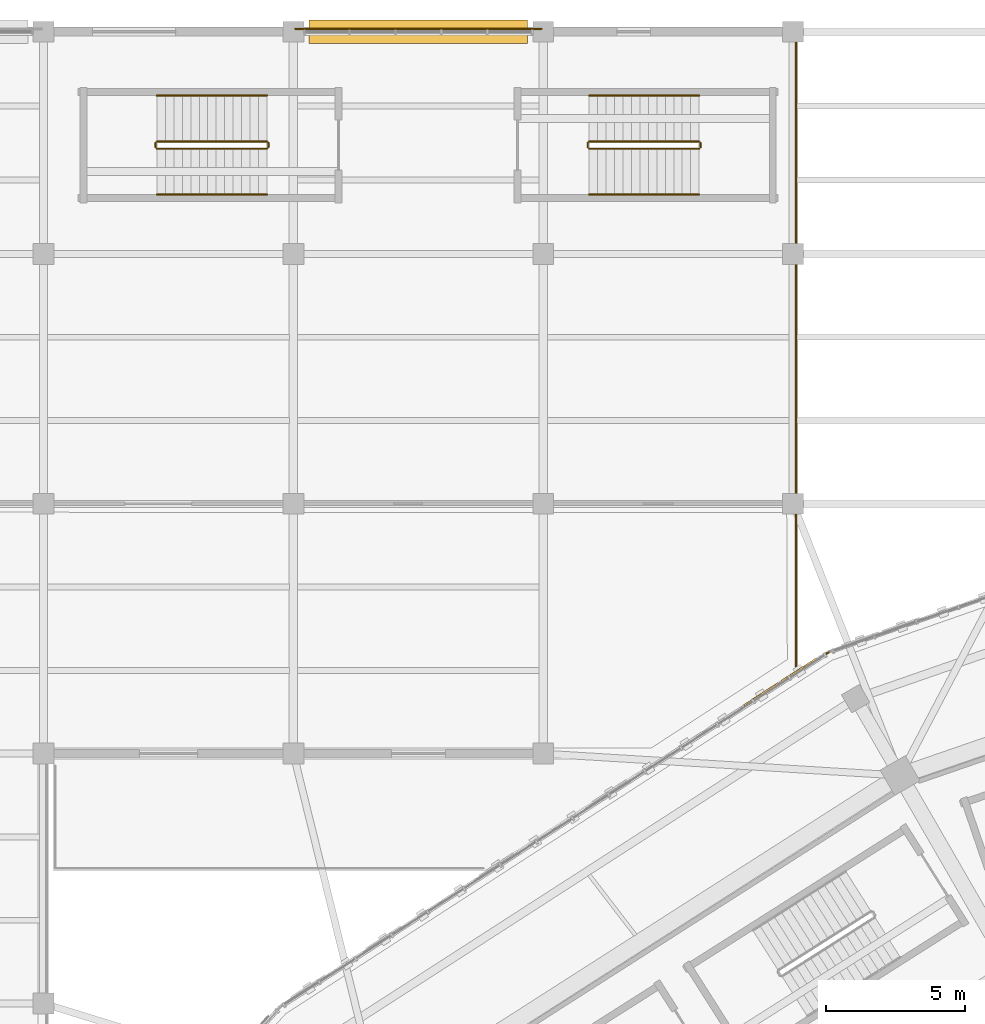
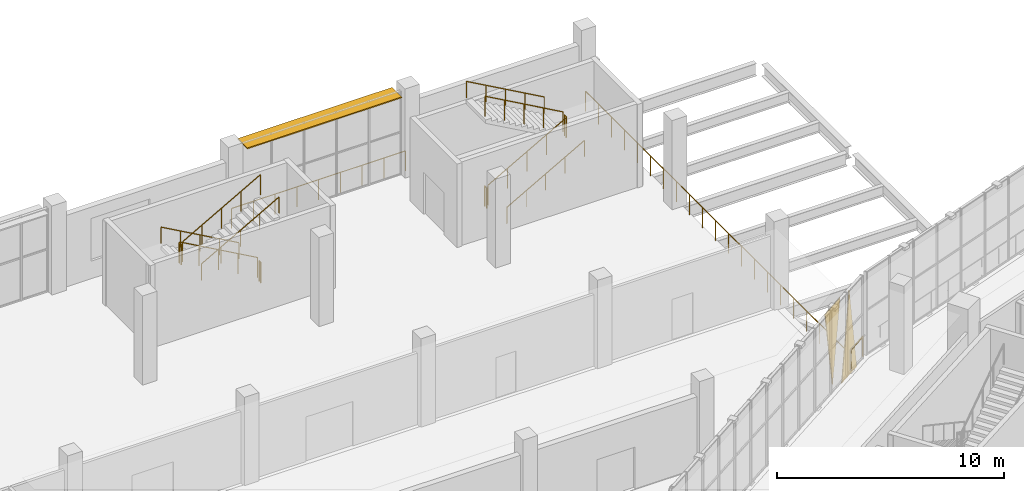
# One storey, part 163 of 179: 15 railings, 2 coverings, 1 shading device.
"""IFC4 building model written with IfcOpenShell, lengths in metres."""

from ifc_helpers import new_model, si_unit, direction, frame, origin, origin_2d, place, context, subcontext, project, spatial, polyline, rectangle, circle, outline, extrude, material, layer, layer_set, type_object, element, save


model = new_model("IFC4")

# Units and contexts
model_context = context("Model", 3, precision=1e-05, world=origin(), true_north=direction((0.0, 1.0)))
body_context = subcontext(model_context, "Body", "Model", "MODEL_VIEW")
ifc_project = project(units=[si_unit("LENGTHUNIT", "METRE"), si_unit("AREAUNIT", "SQUARE_METRE"), si_unit("VOLUMEUNIT", "CUBIC_METRE"), si_unit("PLANEANGLEUNIT", "RADIAN"), si_unit("MASSUNIT", "GRAM", prefix="KILO")], contexts=[model_context])

# Site, building, storey
site_placement = place(None, origin())
site = spatial("IfcSite", under=ifc_project, at=site_placement, CompositionType="ELEMENT")
building_placement = place(site_placement, origin())
building = spatial("IfcBuilding", under=site, at=building_placement, Name="Zevraka Park Crest Stadium", CompositionType="ELEMENT")
storey_placement = place(building_placement, frame((0.0, 0.0, 10.199951171875)))
storey = spatial("IfcBuildingStorey", under=building, at=storey_placement, Name="L02", CompositionType="ELEMENT", Elevation=10.199951171875)

# Coverings
ifc_material_1 = material(Name="Architectural golden-bronze perforated aluminium", Category="aluminium")
ifc_layer_1 = layer(ifc_material_1, 0.034912109375)
ifc_layer_set_1 = layer_set([ifc_layer_1], Name="Architectural golden-bronze perforated aluminium")
covering_type = type_object("IfcCoveringType", Name="CLD01", PredefinedType="CLADDING", material=ifc_layer_set_1)
covering_1_placement = place(storey_placement, frame((63.804931640625, 161.427001953125, -0.239990234375), z_axis=(-0.543285997877, 0.839547690307, 1.4543474e-05), x_axis=(-0.839547690396, -0.543285997934, 0.0)))
element("IfcCovering", 1, at=covering_1_placement, inside=storey, type_object=covering_type, Name="Triangular Golden-Bronze Perforated Cladding L02-08-1", PredefinedType="CLADDING", context=body_context, shape_type="SweptSolid", body=[
    extrude(outline(polyline([(0.0, 0.0), (1.457781335266565, -1.6940658945086007e-21), (0.7287881837843572, 4.560058594232255), (0.0, 0.0)])), origin(), (0.0, 0.0, -1.0), 0.034912109375),
])
covering_2_placement = place(storey_placement, frame((61.221923828125, 159.756103515625, 4.47998046875), z_axis=(-0.543209619056, 0.839597111575, 0.0), x_axis=(0.839597111575, 0.543209619056, 0.0)))
element("IfcCovering", 2, at=covering_2_placement, inside=storey, type_object=covering_type, Name="Triangular Golden-Bronze Perforated Cladding L02-08-2", PredefinedType="CLADDING", context=body_context, shape_type="SweptSolid", body=[
    extrude(outline(polyline([(0.0, 0.0), (1.4579863089976983, 0.0), (0.7289931544988492, 4.260009765625), (0.0, 0.0)])), origin(), (0.0, 0.0, -1.0), 0.034912109375),
])

# Railings
ifc_material_2 = material(Name="Galvanised and bronze-finished steel balustrade", Category="steel")
railing_type_1 = type_object("IfcRailingType", Name="GR01", PredefinedType="GUARDRAIL", material=ifc_material_2)
railing_1_placement = place(storey_placement, frame((45.06591796875, 184.10498046875, 0.0)))
element("IfcRailing", 3, at=railing_1_placement, inside=storey, type_object=railing_type_1, Name="Deck Edge Protection Guardrail GR01 L02-3", PredefinedType="GUARDRAIL", context=body_context, shape_type="SweptSolid", body=[
    extrude(circle(Radius=0.02392578125, at=origin_2d()), frame((0.0, 0.0, 1.076171875), z_axis=(1.0, 0.0, 0.0), x_axis=(0.0, 1.0, 0.0)), (0.0, 0.0, 1.0), 8.8681640625),
    extrude(circle(Radius=0.02099609375, at=origin_2d()), origin(), (0.0, 0.0, 1.0), 1.052001953125),
    extrude(circle(Radius=0.02099609375, at=origin_2d()), frame((1.1083984375, 0.0, 0.0)), (0.0, 0.0, 1.0), 1.052001953125),
    extrude(circle(Radius=0.02099609375, at=origin_2d()), frame((2.217041015625, 0.0, 0.0)), (0.0, 0.0, 1.0), 1.052001953125),
    extrude(circle(Radius=0.02099609375, at=origin_2d()), frame((3.32568359375, 0.0, 0.0)), (0.0, 0.0, 1.0), 1.052001953125),
    extrude(circle(Radius=0.02099609375, at=origin_2d()), frame((4.43408203125, 0.0, 0.0)), (0.0, 0.0, 1.0), 1.052001953125),
    extrude(circle(Radius=0.02099609375, at=origin_2d()), frame((5.54248046875, 0.0, 0.0)), (0.0, 0.0, 1.0), 1.052001953125),
    extrude(circle(Radius=0.02099609375, at=origin_2d()), frame((6.651123046875, 0.0, 0.0)), (0.0, 0.0, 1.0), 1.052001953125),
    extrude(circle(Radius=0.02099609375, at=origin_2d()), frame((7.759765625, 0.0, 0.0)), (0.0, 0.0, 1.0), 1.052001953125),
    extrude(circle(Radius=0.02099609375, at=origin_2d()), frame((8.8681640625, 0.0, 0.0)), (0.0, 0.0, 1.0), 1.052001953125),
])
railing_2_placement = place(storey_placement, frame((63.10498046875, 184.10498046875, 0.0)))
element("IfcRailing", 4, at=railing_2_placement, inside=storey, type_object=railing_type_1, Name="Deck Edge Protection Guardrail GR01 L02-4", PredefinedType="GUARDRAIL", context=body_context, shape_type="SweptSolid", body=[
    extrude(circle(Radius=0.02392578125, at=origin_2d()), frame((0.0, 0.0, 1.076171875), z_axis=(0.0, -1.0, 0.0), x_axis=(1.0, 0.0, 0.0)), (0.0, 0.0, 1.0), 22.97509765625),
    extrude(circle(Radius=0.02099609375, at=origin_2d()), origin(), (0.0, 0.0, 1.0), 1.052001953125),
    extrude(circle(Radius=0.02099609375, at=origin_2d()), frame((0.0, -1.148681640625, 0.0)), (0.0, 0.0, 1.0), 1.052001953125),
    extrude(circle(Radius=0.02099609375, at=origin_2d()), frame((0.0, -2.297607421875, 0.0)), (0.0, 0.0, 1.0), 1.052001953125),
    extrude(circle(Radius=0.02099609375, at=origin_2d()), frame((0.0, -3.4462890625, 0.0)), (0.0, 0.0, 1.0), 1.052001953125),
    extrude(circle(Radius=0.02099609375, at=origin_2d()), frame((0.0, -4.594970703125, 0.0)), (0.0, 0.0, 1.0), 1.052001953125),
    extrude(circle(Radius=0.02099609375, at=origin_2d()), frame((0.0, -5.74365234375, 0.0)), (0.0, 0.0, 1.0), 1.052001953125),
    extrude(circle(Radius=0.02099609375, at=origin_2d()), frame((0.0, -6.892578125, 0.0)), (0.0, 0.0, 1.0), 1.052001953125),
    extrude(circle(Radius=0.02099609375, at=origin_2d()), frame((0.0, -8.041259765625, 0.0)), (0.0, 0.0, 1.0), 1.052001953125),
    extrude(circle(Radius=0.02099609375, at=origin_2d()), frame((0.0, -9.18994140625, 0.0)), (0.0, 0.0, 1.0), 1.052001953125),
    extrude(circle(Radius=0.02099609375, at=origin_2d()), frame((0.0, -10.3388671875, 0.0)), (0.0, 0.0, 1.0), 1.052001953125),
    extrude(circle(Radius=0.02099609375, at=origin_2d()), frame((0.0, -11.487548828125, 0.0)), (0.0, 0.0, 1.0), 1.052001953125),
    extrude(circle(Radius=0.02099609375, at=origin_2d()), frame((0.0, -12.63623046875, 0.0)), (0.0, 0.0, 1.0), 1.052001953125),
    extrude(circle(Radius=0.02099609375, at=origin_2d()), frame((0.0, -13.78515625, 0.0)), (0.0, 0.0, 1.0), 1.052001953125),
    extrude(circle(Radius=0.02099609375, at=origin_2d()), frame((0.0, -14.933837890625, 0.0)), (0.0, 0.0, 1.0), 1.052001953125),
    extrude(circle(Radius=0.02099609375, at=origin_2d()), frame((0.0, -16.08251953125, 0.0)), (0.0, 0.0, 1.0), 1.052001953125),
    extrude(circle(Radius=0.02099609375, at=origin_2d()), frame((0.0, -17.2314453125, 0.0)), (0.0, 0.0, 1.0), 1.052001953125),
    extrude(circle(Radius=0.02099609375, at=origin_2d()), frame((0.0, -18.380126953125, 0.0)), (0.0, 0.0, 1.0), 1.052001953125),
    extrude(circle(Radius=0.02099609375, at=origin_2d()), frame((0.0, -19.52880859375, 0.0)), (0.0, 0.0, 1.0), 1.052001953125),
    extrude(circle(Radius=0.02099609375, at=origin_2d()), frame((0.0, -20.677490234375, 0.0)), (0.0, 0.0, 1.0), 1.052001953125),
    extrude(circle(Radius=0.02099609375, at=origin_2d()), frame((0.0, -21.826416015625, 0.0)), (0.0, 0.0, 1.0), 1.052001953125),
    extrude(circle(Radius=0.02099609375, at=origin_2d()), frame((0.0, -22.97509765625, 0.0)), (0.0, 0.0, 1.0), 1.052001953125),
])
railing_3_placement = place(storey_placement, frame((63.298095703125, 161.01611328125, 0.0)))
element("IfcRailing", 5, at=railing_3_placement, inside=storey, type_object=railing_type_1, Name="Deck Edge Protection Guardrail GR01 L02-5", PredefinedType="GUARDRAIL", context=body_context, shape_type="SweptSolid", body=[
    extrude(circle(Radius=0.02392578125, at=origin_2d()), frame((0.0, 0.0, 1.076171875), z_axis=(0.839575752041, 0.543242631413, 0.0), x_axis=(-0.543242631413, 0.839575752041, 0.0)), (0.0, 0.0, 1.0), 1.170654296875),
    extrude(circle(Radius=0.02099609375, at=origin_2d()), origin(), (0.0, 0.0, 1.0), 1.052001953125),
    extrude(circle(Radius=0.02099609375, at=origin_2d()), frame((0.98291015625, 0.635986328125, 0.0)), (0.0, 0.0, 1.0), 1.052001953125),
])
ifc_material_3 = material(Name="Powder-coated tubular steel stairwell guard", Category="steel")
railing_type_2 = type_object("IfcRailingType", Name="GR03", PredefinedType="GUARDRAIL", material=ifc_material_3)
railing_4_placement = place(storey_placement, frame((44.050048828125, 180.050048828125, 0.17138671875)))
element("IfcRailing", 6, at=railing_4_placement, inside=storey, type_object=railing_type_2, Name="L02 ST49 stair guard 1", PredefinedType="GUARDRAIL", context=body_context, shape_type="SweptSolid", body=[
    extrude(circle(Radius=0.02392578125, at=origin_2d()), frame((0.0, 0.0, 1.076171875), z_axis=(-0.871726007364, 0.0, 0.489993640861), x_axis=(0.0, -1.0, 0.0)), (0.0, 0.0, 1.0), 4.548583984375),
    extrude(circle(Radius=0.02099609375, at=origin_2d()), origin(), (0.0, 0.0, 1.0), 1.052001953125),
    extrude(circle(Radius=0.02099609375, at=origin_2d()), frame((-0.9912109375, 0.0, 0.55712890625)), (0.0, 0.0, 1.0), 1.052001953125),
    extrude(circle(Radius=0.02099609375, at=origin_2d()), frame((-1.982421875, 0.0, 1.1142578125)), (0.0, 0.0, 1.0), 1.052001953125),
    extrude(circle(Radius=0.02099609375, at=origin_2d()), frame((-2.973876953125, 0.0, 1.671630859375)), (0.0, 0.0, 1.0), 1.052001953125),
    extrude(circle(Radius=0.02099609375, at=origin_2d()), frame((-3.965087890625, 0.0, 2.228759765625)), (0.0, 0.0, 1.0), 1.052001953125),
])
railing_5_placement = place(storey_placement, frame((40.034912109375, 180.0, 2.400146484375)))
element("IfcRailing", 7, at=railing_5_placement, inside=storey, type_object=railing_type_2, Name="L02 ST49 stair guard 2", PredefinedType="GUARDRAIL", context=body_context, shape_type="SweptSolid", body=[
    extrude(circle(Radius=0.02392578125, at=origin_2d()), frame((0.0, 0.0, 1.076171875), z_axis=(0.0, -1.0, 0.0), x_axis=(1.0, 0.0, 0.0)), (0.0, 0.0, 1.0), 0.159912109375),
    extrude(circle(Radius=0.02099609375, at=origin_2d()), origin(), (0.0, 0.0, 1.0), 1.052001953125),
    extrude(circle(Radius=0.02099609375, at=origin_2d()), frame((0.0, -0.159912109375, 0.0)), (0.0, 0.0, 1.0), 1.052001953125),
])
railing_6_placement = place(storey_placement, frame((40.0849609375, 179.7900390625, 2.571533203125)))
element("IfcRailing", 8, at=railing_6_placement, inside=storey, type_object=railing_type_2, Name="L02 ST49 stair guard 3", PredefinedType="GUARDRAIL", context=body_context, shape_type="SweptSolid", body=[
    extrude(circle(Radius=0.02392578125, at=origin_2d()), frame((0.0, 0.0, 1.076171875), z_axis=(0.871748933509, 0.0, 0.489952851738), x_axis=(0.0, 1.0, 0.0)), (0.0, 0.0, 1.0), 4.54833984375),
    extrude(circle(Radius=0.02099609375, at=origin_2d()), origin(), (0.0, 0.0, 1.0), 1.052001953125),
    extrude(circle(Radius=0.02099609375, at=origin_2d()), frame((0.9912109375, 0.0, 0.55712890625)), (0.0, 0.0, 1.0), 1.052001953125),
    extrude(circle(Radius=0.02099609375, at=origin_2d()), frame((1.982421875, 0.0, 1.1142578125)), (0.0, 0.0, 1.0), 1.052001953125),
    extrude(circle(Radius=0.02099609375, at=origin_2d()), frame((2.973876953125, 0.0, 1.67138671875)), (0.0, 0.0, 1.0), 1.052001953125),
    extrude(circle(Radius=0.02099609375, at=origin_2d()), frame((3.965087890625, 0.0, 2.228515625)), (0.0, 0.0, 1.0), 1.052001953125),
])
railing_7_placement = place(storey_placement, frame((44.10009765625, 180.0, 0.0)))
element("IfcRailing", 9, at=railing_7_placement, inside=storey, type_object=railing_type_2, Name="L02 ST49 stair guard 4", PredefinedType="GUARDRAIL", context=body_context, shape_type="SweptSolid", body=[
    extrude(circle(Radius=0.02392578125, at=origin_2d()), frame((0.0, 0.0, 1.076171875), z_axis=(0.0, -1.0, 0.0), x_axis=(1.0, 0.0, 0.0)), (0.0, 0.0, 1.0), 0.159912109375),
    extrude(circle(Radius=0.02099609375, at=origin_2d()), origin(), (0.0, 0.0, 1.0), 1.052001953125),
    extrude(circle(Radius=0.02099609375, at=origin_2d()), frame((0.0, -0.159912109375, 0.0)), (0.0, 0.0, 1.0), 1.052001953125),
])
railing_8_placement = place(storey_placement, frame((55.64990234375, 179.7900390625, 0.17138671875)))
element("IfcRailing", 10, at=railing_8_placement, inside=storey, type_object=railing_type_2, Name="L02 ST50 stair guard 1", PredefinedType="GUARDRAIL", context=body_context, shape_type="SweptSolid", body=[
    extrude(circle(Radius=0.02392578125, at=origin_2d()), frame((0.0, 0.0, 1.076171875), z_axis=(0.871726007364, 0.0, 0.489993640861), x_axis=(0.0, 1.0, 0.0)), (0.0, 0.0, 1.0), 4.548583984375),
    extrude(circle(Radius=0.02099609375, at=origin_2d()), origin(), (0.0, 0.0, 1.0), 1.052001953125),
    extrude(circle(Radius=0.02099609375, at=origin_2d()), frame((0.9912109375, 0.0, 0.55712890625)), (0.0, 0.0, 1.0), 1.052001953125),
    extrude(circle(Radius=0.02099609375, at=origin_2d()), frame((1.982421875, 0.0, 1.1142578125)), (0.0, 0.0, 1.0), 1.052001953125),
    extrude(circle(Radius=0.02099609375, at=origin_2d()), frame((2.973876953125, 0.0, 1.671630859375)), (0.0, 0.0, 1.0), 1.052001953125),
    extrude(circle(Radius=0.02099609375, at=origin_2d()), frame((3.965087890625, 0.0, 2.228759765625)), (0.0, 0.0, 1.0), 1.052001953125),
])
railing_9_placement = place(storey_placement, frame((59.6650390625, 179.840087890625, 2.400146484375)))
element("IfcRailing", 11, at=railing_9_placement, inside=storey, type_object=railing_type_2, Name="L02 ST50 stair guard 2", PredefinedType="GUARDRAIL", context=body_context, shape_type="SweptSolid", body=[
    extrude(circle(Radius=0.02392578125, at=origin_2d()), frame((0.0, 0.0, 1.076171875), z_axis=(0.0, 1.0, 0.0), x_axis=(-1.0, 0.0, 0.0)), (0.0, 0.0, 1.0), 0.159912109375),
    extrude(circle(Radius=0.02099609375, at=origin_2d()), origin(), (0.0, 0.0, 1.0), 1.052001953125),
    extrude(circle(Radius=0.02099609375, at=origin_2d()), frame((0.0, 0.159912109375, 0.0)), (0.0, 0.0, 1.0), 1.052001953125),
])
railing_10_placement = place(storey_placement, frame((59.614990234375, 180.050048828125, 2.571533203125)))
element("IfcRailing", 12, at=railing_10_placement, inside=storey, type_object=railing_type_2, Name="L02 ST50 stair guard 3", PredefinedType="GUARDRAIL", context=body_context, shape_type="SweptSolid", body=[
    extrude(circle(Radius=0.02392578125, at=origin_2d()), frame((0.0, 0.0, 1.076171875), z_axis=(-0.871748933509, 0.0, 0.489952851738), x_axis=(0.0, -1.0, 0.0)), (0.0, 0.0, 1.0), 4.54833984375),
    extrude(circle(Radius=0.02099609375, at=origin_2d()), origin(), (0.0, 0.0, 1.0), 1.052001953125),
    extrude(circle(Radius=0.02099609375, at=origin_2d()), frame((-0.9912109375, 0.0, 0.55712890625)), (0.0, 0.0, 1.0), 1.052001953125),
    extrude(circle(Radius=0.02099609375, at=origin_2d()), frame((-1.982421875, 0.0, 1.1142578125)), (0.0, 0.0, 1.0), 1.052001953125),
    extrude(circle(Radius=0.02099609375, at=origin_2d()), frame((-2.973876953125, 0.0, 1.67138671875)), (0.0, 0.0, 1.0), 1.052001953125),
    extrude(circle(Radius=0.02099609375, at=origin_2d()), frame((-3.965087890625, 0.0, 2.228515625)), (0.0, 0.0, 1.0), 1.052001953125),
])
railing_11_placement = place(storey_placement, frame((55.60009765625, 179.840087890625, 0.0)))
element("IfcRailing", 13, at=railing_11_placement, inside=storey, type_object=railing_type_2, Name="L02 ST50 stair guard 4", PredefinedType="GUARDRAIL", context=body_context, shape_type="SweptSolid", body=[
    extrude(circle(Radius=0.02392578125, at=origin_2d()), frame((0.0, 0.0, 1.076171875), z_axis=(0.0, 1.0, 0.0), x_axis=(-1.0, 0.0, 0.0)), (0.0, 0.0, 1.0), 0.159912109375),
    extrude(circle(Radius=0.02099609375, at=origin_2d()), origin(), (0.0, 0.0, 1.0), 1.052001953125),
    extrude(circle(Radius=0.02099609375, at=origin_2d()), frame((0.0, 0.159912109375, 0.0)), (0.0, 0.0, 1.0), 1.052001953125),
])
ifc_material_4 = material(Name="Brushed stainless steel continuous handrail", Category="steel")
railing_type_3 = type_object("IfcRailingType", Name="HR01", PredefinedType="HANDRAIL", material=ifc_material_4)
railing_12_placement = place(storey_placement, frame((44.050048828125, 181.699951171875, 0.17138671875)))
element("IfcRailing", 14, at=railing_12_placement, inside=storey, type_object=railing_type_3, Name="L02 ST49 stair handrail 1", PredefinedType="HANDRAIL", context=body_context, shape_type="SweptSolid", body=[
    extrude(circle(Radius=0.02392578125, at=origin_2d()), frame((0.0, 0.0, 0.8759765625), z_axis=(-0.871726007364, 0.0, 0.489993640861), x_axis=(0.0, -1.0, 0.0)), (0.0, 0.0, 1.0), 4.548583984375),
    extrude(circle(Radius=0.02099609375, at=origin_2d()), origin(), (0.0, 0.0, 1.0), 0.851806640625),
    extrude(circle(Radius=0.02099609375, at=origin_2d()), frame((-0.9912109375, 0.0, 0.55712890625)), (0.0, 0.0, 1.0), 0.851806640625),
    extrude(circle(Radius=0.02099609375, at=origin_2d()), frame((-1.982421875, 0.0, 1.1142578125)), (0.0, 0.0, 1.0), 0.851806640625),
    extrude(circle(Radius=0.02099609375, at=origin_2d()), frame((-2.973876953125, 0.0, 1.671630859375)), (0.0, 0.0, 1.0), 0.851806640625),
    extrude(circle(Radius=0.02099609375, at=origin_2d()), frame((-3.965087890625, 0.0, 2.228759765625)), (0.0, 0.0, 1.0), 0.851806640625),
])
railing_13_placement = place(storey_placement, frame((40.0849609375, 178.139892578125, 2.571533203125)))
element("IfcRailing", 15, at=railing_13_placement, inside=storey, type_object=railing_type_3, Name="L02 ST49 stair handrail 2", PredefinedType="HANDRAIL", context=body_context, shape_type="SweptSolid", body=[
    extrude(circle(Radius=0.02392578125, at=origin_2d()), frame((0.0, 0.0, 0.8759765625), z_axis=(0.871748933509, 0.0, 0.489952851738), x_axis=(0.0, 1.0, 0.0)), (0.0, 0.0, 1.0), 4.54833984375),
    extrude(circle(Radius=0.02099609375, at=origin_2d()), origin(), (0.0, 0.0, 1.0), 0.851806640625),
    extrude(circle(Radius=0.02099609375, at=origin_2d()), frame((0.9912109375, 0.0, 0.55712890625)), (0.0, 0.0, 1.0), 0.851806640625),
    extrude(circle(Radius=0.02099609375, at=origin_2d()), frame((1.982421875, 0.0, 1.1142578125)), (0.0, 0.0, 1.0), 0.851806640625),
    extrude(circle(Radius=0.02099609375, at=origin_2d()), frame((2.973876953125, 0.0, 1.67138671875)), (0.0, 0.0, 1.0), 0.851806640625),
    extrude(circle(Radius=0.02099609375, at=origin_2d()), frame((3.965087890625, 0.0, 2.228515625)), (0.0, 0.0, 1.0), 0.851806640625),
])
railing_14_placement = place(storey_placement, frame((55.64990234375, 178.139892578125, 0.17138671875)))
element("IfcRailing", 16, at=railing_14_placement, inside=storey, type_object=railing_type_3, Name="L02 ST50 stair handrail 1", PredefinedType="HANDRAIL", context=body_context, shape_type="SweptSolid", body=[
    extrude(circle(Radius=0.02392578125, at=origin_2d()), frame((0.0, 0.0, 0.8759765625), z_axis=(0.871726007364, 0.0, 0.489993640861), x_axis=(0.0, 1.0, 0.0)), (0.0, 0.0, 1.0), 4.548583984375),
    extrude(circle(Radius=0.02099609375, at=origin_2d()), origin(), (0.0, 0.0, 1.0), 0.851806640625),
    extrude(circle(Radius=0.02099609375, at=origin_2d()), frame((0.9912109375, 0.0, 0.55712890625)), (0.0, 0.0, 1.0), 0.851806640625),
    extrude(circle(Radius=0.02099609375, at=origin_2d()), frame((1.982421875, 0.0, 1.1142578125)), (0.0, 0.0, 1.0), 0.851806640625),
    extrude(circle(Radius=0.02099609375, at=origin_2d()), frame((2.973876953125, 0.0, 1.671630859375)), (0.0, 0.0, 1.0), 0.851806640625),
    extrude(circle(Radius=0.02099609375, at=origin_2d()), frame((3.965087890625, 0.0, 2.228759765625)), (0.0, 0.0, 1.0), 0.851806640625),
])
railing_15_placement = place(storey_placement, frame((59.614990234375, 181.699951171875, 2.571533203125)))
element("IfcRailing", 17, at=railing_15_placement, inside=storey, type_object=railing_type_3, Name="L02 ST50 stair handrail 2", PredefinedType="HANDRAIL", context=body_context, shape_type="SweptSolid", body=[
    extrude(circle(Radius=0.02392578125, at=origin_2d()), frame((0.0, 0.0, 0.8759765625), z_axis=(-0.871748933509, 0.0, 0.489952851738), x_axis=(0.0, -1.0, 0.0)), (0.0, 0.0, 1.0), 4.54833984375),
    extrude(circle(Radius=0.02099609375, at=origin_2d()), origin(), (0.0, 0.0, 1.0), 0.851806640625),
    extrude(circle(Radius=0.02099609375, at=origin_2d()), frame((-0.9912109375, 0.0, 0.55712890625)), (0.0, 0.0, 1.0), 0.851806640625),
    extrude(circle(Radius=0.02099609375, at=origin_2d()), frame((-1.982421875, 0.0, 1.1142578125)), (0.0, 0.0, 1.0), 0.851806640625),
    extrude(circle(Radius=0.02099609375, at=origin_2d()), frame((-2.973876953125, 0.0, 1.67138671875)), (0.0, 0.0, 1.0), 0.851806640625),
    extrude(circle(Radius=0.02099609375, at=origin_2d()), frame((-3.965087890625, 0.0, 2.228515625)), (0.0, 0.0, 1.0), 0.851806640625),
])

# Shading device
ifc_material_5 = material(Name="Architectural golden-bronze anodised bronze", Category="aluminium")
ifc_layer_2 = layer(ifc_material_5, 0.06005859375)
ifc_layer_set_2 = layer_set([ifc_layer_2], Name="Architectural golden-bronze anodised bronze")
shading_device_type = type_object("IfcShadingDeviceType", Name="SHD01", PredefinedType="USERDEFINED", material=ifc_layer_set_2)
shading_device_placement = place(storey_placement, frame((49.5, 184.0, 4.419921875), z_axis=(0.0, 0.0, 1.0), x_axis=(1.0, 0.0, 0.0)))
element("IfcShadingDevice", 18, at=shading_device_placement, inside=storey, type_object=shading_device_type, Name="Wing Bronze Solar Screen SHD01 L02-NW-N2-6", ObjectType="SOLAR SCREEN", PredefinedType="USERDEFINED", context=body_context, shape_type="SweptSolid", body=[
    extrude(rectangle(XDim=7.8701171875, YDim=0.85009765625, at=origin_2d()), origin(), (0.0, 0.0, 1.0), 0.06005859375),
])

save(model, "model.ifc")
